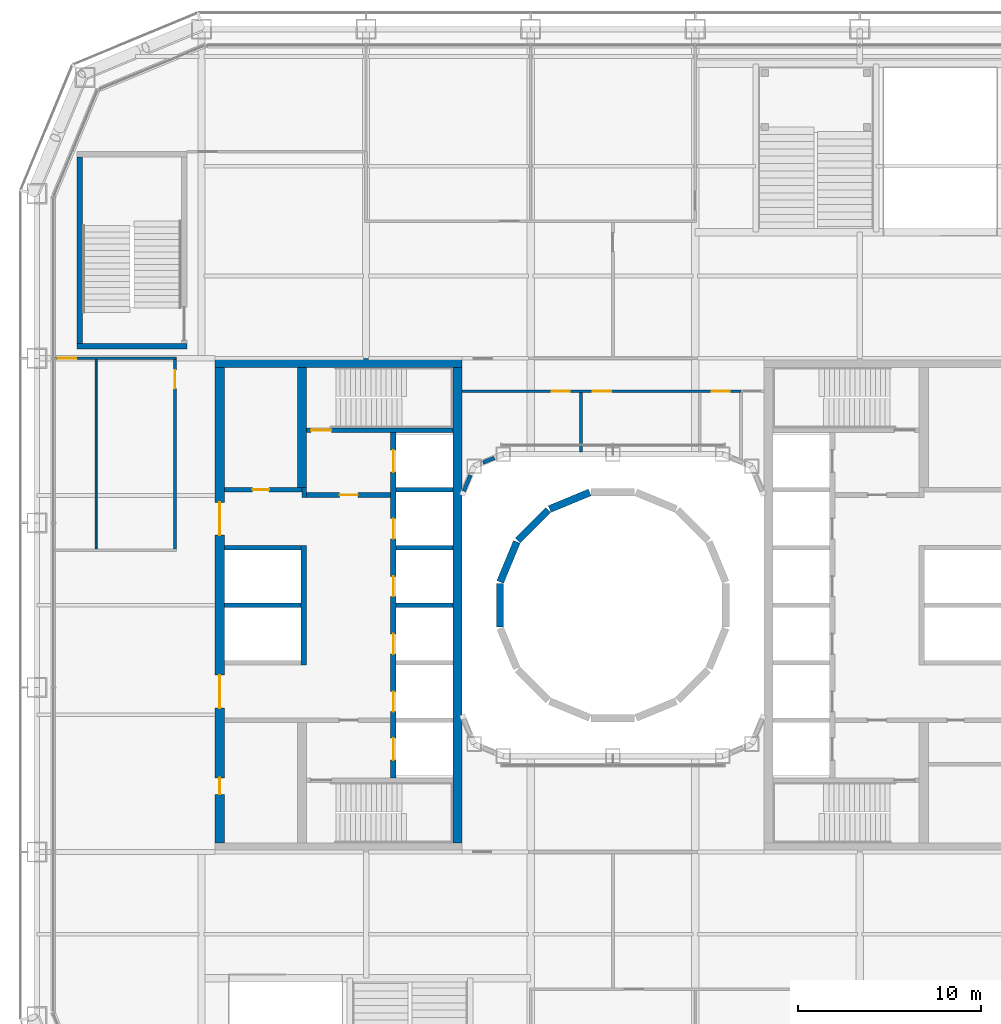
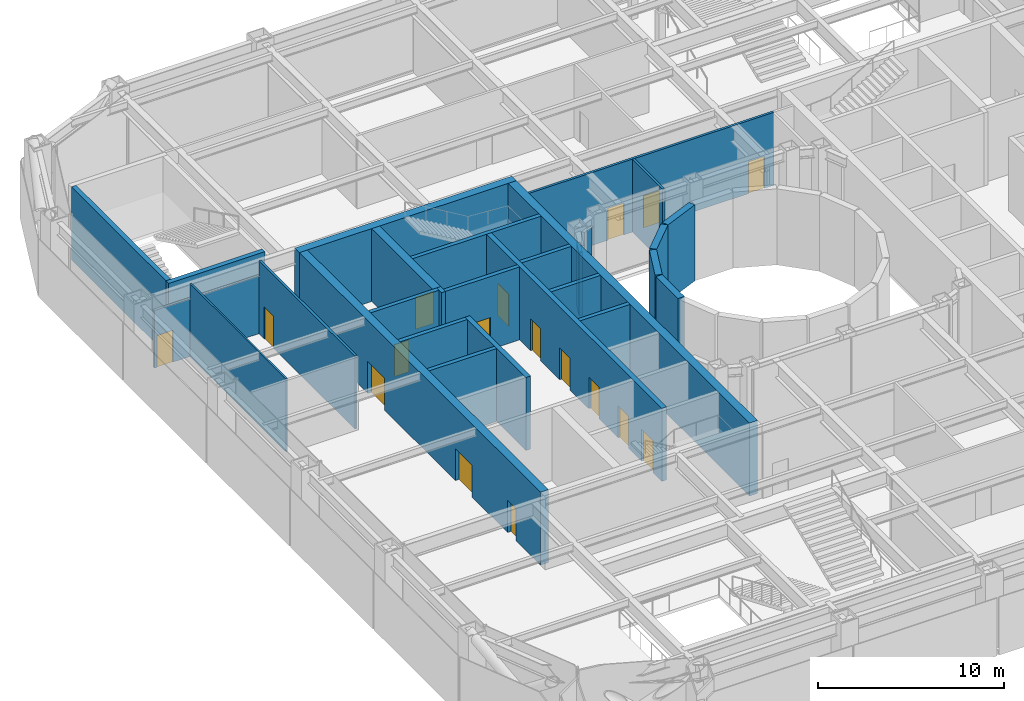
# One storey, part 13 of 25: 28 walls, 17 doors, 17 openings.
"""IFC4 building model written with IfcOpenShell, lengths in metres."""

from ifc_helpers import new_model, si_unit, direction, frame, frame_2d, origin, place, context, subcontext, project, spatial, rectangle, extrude, material, layer, layer_set, type_object, element, fill, save


model = new_model("IFC4")

# Units and contexts
model_context = context("Model", 3, precision=1e-05, world=origin(), true_north=direction((0.0, 1.0)))
body_context = subcontext(model_context, "Body", "Model", "MODEL_VIEW")
ifc_project = project(units=[si_unit("LENGTHUNIT", "METRE"), si_unit("AREAUNIT", "SQUARE_METRE"), si_unit("VOLUMEUNIT", "CUBIC_METRE"), si_unit("PLANEANGLEUNIT", "RADIAN"), si_unit("MASSUNIT", "GRAM", prefix="KILO")], contexts=[model_context])

# Site, building, storey
site_placement = place(None, origin())
site = spatial("IfcSite", under=ifc_project, at=site_placement, CompositionType="ELEMENT")
building_placement = place(site_placement, origin())
building = spatial("IfcBuilding", under=site, at=building_placement, Name="Siwar Civic Tower", CompositionType="ELEMENT")
storey_placement = place(building_placement, frame((0.0, 0.0, 7.199951171875)))
storey = spatial("IfcBuildingStorey", under=building, at=storey_placement, Name="L01", CompositionType="ELEMENT", Elevation=7.199951171875)

# Wall, opening, door
ifc_material_1 = material(Name="Concrete C60/75", Category="concrete")
ifc_layer_1 = layer(ifc_material_1, 0.25)
ifc_layer_set_1 = layer_set([ifc_layer_1], Name="Concrete C60/75")
wall_type_1 = type_object("IfcWallType", Name="CORE-WALL-RC250", PredefinedType="SHEAR", material=ifc_layer_set_1)
wall_1_placement = place(storey_placement, frame((-12.14990234375, 6.02490234375, 0.0), z_axis=(0.0, 0.0, 1.0), x_axis=(-1.0, 0.0, 0.0)))
wall_1 = element("IfcWall", 1, at=wall_1_placement, inside=storey, type_object=wall_type_1, Name="Core wall W", PredefinedType="SHEAR", context=body_context, shape_type="SweptSolid", body=[
    extrude(rectangle(XDim=4.60009765625, YDim=0.25, at=frame_2d((2.300048828125, 0.0))), origin(), (0.0, 0.0, 1.0), 4.800048828125),
])
opening_1_placement = place(wall_1_placement, frame((1.800048828125, 0.0, 0.0)))
opening_1 = element("IfcOpeningElement", 2, at=opening_1_placement, cuts=wall_1, Name="Opening L01-CW01", PredefinedType="OPENING", context=body_context, shape_type="SweptSolid", body=[
    extrude(rectangle(XDim=1.0, YDim=2.10009765625, at=frame_2d((0.5, 1.050048828125))), frame((0.0, 0.135009765625, 0.0), z_axis=(0.0, -1.0, 0.0), x_axis=(1.0, 0.0, 0.0)), (0.0, 0.0, 1.0), 0.27001953125),
])
ifc_material_2 = material(Name="Steel door leaf", Category="steel")
door_type_1 = type_object("IfcDoorType", Name="CORE-DOOR-FD30S", OperationType="SINGLE_SWING_LEFT", PredefinedType="DOOR", material=ifc_material_2)
door_1_placement = place(opening_1_placement, origin())
door_1 = element("IfcDoor", 3, at=door_1_placement, inside=storey, type_object=door_type_1, Name="Firefighting lobby door L01-CW01", OperationType="SINGLE_SWING_LEFT", OverallHeight=2.10009765625, OverallWidth=1.0, PredefinedType="DOOR", context=body_context, shape_type="SweptSolid", body=[
    extrude(rectangle(XDim=1.0, YDim=2.10009765625, at=frame_2d((0.5, 1.050048828125))), frame((0.0, 0.02490234375, 0.0), z_axis=(0.0, -1.0, 0.0), x_axis=(1.0, 0.0, 0.0)), (0.0, 0.0, 1.0), 0.050048828125),
])
fill(opening_1, door_1)

# Wall
wall_2_placement = place(storey_placement, frame((-16.875, 5.89990234375, 0.0), z_axis=(0.0, 0.0, 1.0), x_axis=(0.0, 1.0, 0.0)))
element("IfcWall", 4, at=wall_2_placement, inside=storey, type_object=wall_type_1, Name="Core wall W", PredefinedType="SHEAR", context=body_context, shape_type="SweptSolid", body=[
    extrude(rectangle(XDim=0.525146484375, YDim=0.25, at=frame_2d((0.2626953125, 0.0))), origin(), (0.0, 0.0, 1.0), 4.800048828125),
])

# Wall, opening, door
wall_3_placement = place(storey_placement, frame((-17.0, 6.300048828125, 0.0), z_axis=(0.0, 0.0, 1.0), x_axis=(-1.0, 0.0, 0.0)))
wall_3 = element("IfcWall", 5, at=wall_3_placement, inside=storey, type_object=wall_type_1, Name="Core wall W", PredefinedType="SHEAR", context=body_context, shape_type="SweptSolid", body=[
    extrude(rectangle(XDim=4.25, YDim=0.25, at=frame_2d((2.125, 0.0))), origin(), (0.0, 0.0, 1.0), 4.800048828125),
])
opening_2_placement = place(wall_3_placement, frame((1.800048828125, 0.0, 0.0)))
opening_2 = element("IfcOpeningElement", 6, at=opening_2_placement, cuts=wall_3, Name="Opening L01-CW13", PredefinedType="OPENING", context=body_context, shape_type="SweptSolid", body=[
    extrude(rectangle(XDim=0.89990234375, YDim=2.10009765625, at=frame_2d((0.449951171875, 1.050048828125))), frame((0.0, 0.135009765625, 0.0), z_axis=(0.0, -1.0, 0.0), x_axis=(1.0, 0.0, 0.0)), (0.0, 0.0, 1.0), 0.27001953125),
])
ifc_material_3 = material(Name="Steel door leaf", Category="steel")
door_type_2 = type_object("IfcDoorType", Name="CORE-DOOR-ROOM", OperationType="SINGLE_SWING_LEFT", PredefinedType="DOOR", material=ifc_material_3)
door_2_placement = place(opening_2_placement, origin())
door_2 = element("IfcDoor", 7, at=door_2_placement, inside=storey, type_object=door_type_2, Name="Core room door L01-CW13", OperationType="SINGLE_SWING_LEFT", OverallHeight=2.10009765625, OverallWidth=0.89990234375, PredefinedType="DOOR", context=body_context, shape_type="SweptSolid", body=[
    extrude(rectangle(XDim=0.89990234375, YDim=2.10009765625, at=frame_2d((0.449951171875, 1.050048828125))), frame((0.0, 0.02490234375, 0.0), z_axis=(0.0, -1.0, 0.0), x_axis=(1.0, 0.0, 0.0)), (0.0, 0.0, 1.0), 0.050048828125),
])
fill(opening_2, door_2)

# Walls
for number, where, z_axis, x_axis, name in (
    (8, (-17.050048828125, 0.0, 0.0), (0.0, 0.0, 1.0), (-1.0, 0.0, 0.0), "Core wall W"),
    (9, (-17.050048828125, 3.14990234375, 0.0), (0.0, 0.0, 1.0), (-1.0, 0.0, 0.0), "Core wall W"),
):
    element("IfcWall", number, at=place(storey_placement, frame(where, z_axis=z_axis, x_axis=x_axis)), inside=storey, type_object=wall_type_1, Name=name, PredefinedType="SHEAR", context=body_context, shape_type="SweptSolid", body=[
        extrude(rectangle(XDim=4.199951171875, YDim=0.25, at=frame_2d((2.10009765625, 0.0))), origin(), (0.0, 0.0, 1.0), 4.800048828125),
    ])
for number, where, z_axis, x_axis, name in (
    (10, (-8.75, 0.0, 0.0), (0.0, 0.0, 1.0), (-1.0, 0.0, 0.0), "Core wall W"),
    (11, (-8.75, 3.14990234375, 0.0), (0.0, 0.0, 1.0), (-1.0, 0.0, 0.0), "Core wall W"),
    (12, (-8.75, 6.300048828125, 0.0), (0.0, 0.0, 1.0), (-1.0, 0.0, 0.0), "Core wall W"),
):
    element("IfcWall", number, at=place(storey_placement, frame(where, z_axis=z_axis, x_axis=x_axis)), inside=storey, type_object=wall_type_1, Name=name, PredefinedType="SHEAR", context=body_context, shape_type="SweptSolid", body=[
        extrude(rectangle(XDim=3.10009765625, YDim=0.25, at=frame_2d((1.550048828125, 0.0))), origin(), (0.0, 0.0, 1.0), 4.800048828125),
    ])

# Wall, opening, door
wall_4_placement = place(storey_placement, frame((-8.75, 9.574951171875, 0.0), z_axis=(0.0, 0.0, 1.0), x_axis=(-1.0, 0.0, 0.0)))
wall_4 = element("IfcWall", 13, at=wall_4_placement, inside=storey, type_object=wall_type_1, Name="Core wall W", PredefinedType="SHEAR", context=body_context, shape_type="SweptSolid", body=[
    extrude(rectangle(XDim=8.0, YDim=0.25, at=frame_2d((4.0, 0.0))), origin(), (0.0, 0.0, 1.0), 4.800048828125),
])
opening_3_placement = place(wall_4_placement, frame((6.64990234375, 0.0, 0.0)))
opening_3 = element("IfcOpeningElement", 14, at=opening_3_placement, cuts=wall_4, Name="Opening L01-CW03", PredefinedType="OPENING", context=body_context, shape_type="SweptSolid", body=[
    extrude(rectangle(XDim=1.10009765625, YDim=2.10009765625, at=frame_2d((0.550048828125, 1.050048828125))), frame((0.0, 0.135009765625, 0.0), z_axis=(0.0, -1.0, 0.0), x_axis=(1.0, 0.0, 0.0)), (0.0, 0.0, 1.0), 0.27001953125),
])
ifc_material_4 = material(Name="Steel door leaf", Category="steel")
door_type_3 = type_object("IfcDoorType", Name="CORE-DOOR-FD60S", OperationType="SINGLE_SWING_LEFT", PredefinedType="DOOR", material=ifc_material_4)
door_3_placement = place(opening_3_placement, origin())
door_3 = element("IfcDoor", 15, at=door_3_placement, inside=storey, type_object=door_type_3, Name="Stair door L01-CW03", OperationType="SINGLE_SWING_RIGHT", OverallHeight=2.10009765625, OverallWidth=1.10009765625, PredefinedType="DOOR", context=body_context, shape_type="SweptSolid", body=[
    extrude(rectangle(XDim=1.10009765625, YDim=2.10009765625, at=frame_2d((0.550048828125, 1.050048828125))), frame((0.0, 0.02490234375, 0.0), z_axis=(0.0, -1.0, 0.0), x_axis=(1.0, 0.0, 0.0)), (0.0, 0.0, 1.0), 0.050048828125),
])
fill(opening_3, door_3)

# Wall, openings, doors
ifc_material_5 = material(Name="Concrete C60/75", Category="concrete")
ifc_layer_2 = layer(ifc_material_5, 0.300048828125)
ifc_layer_set_2 = layer_set([ifc_layer_2], Name="Concrete C60/75")
wall_type_2 = type_object("IfcWallType", Name="CORE-WALL-RC300", PredefinedType="SHEAR", material=ifc_layer_set_2)
wall_5_placement = place(storey_placement, frame((-12.0, -9.449951171875, 0.0), z_axis=(0.0, 0.0, 1.0), x_axis=(0.0, 1.0, 0.0)))
wall_5 = element("IfcWall", 16, at=wall_5_placement, inside=storey, type_object=wall_type_2, Name="Core wall W", PredefinedType="SHEAR", context=body_context, shape_type="SweptSolid", body=[
    extrude(rectangle(XDim=18.89990234375, YDim=0.300048828125, at=frame_2d((9.449951171875, 0.0))), origin(), (0.0, 0.0, 1.0), 4.800048828125),
])
opening_4_placement = place(wall_5_placement, frame((3.625, 0.0, 0.0)))
opening_4 = element("IfcOpeningElement", 17, at=opening_4_placement, cuts=wall_5, Name="Opening L01-CW07", PredefinedType="OPENING", context=body_context, shape_type="SweptSolid", body=[
    extrude(rectangle(XDim=1.10009765625, YDim=2.10009765625, at=frame_2d((0.550048828125, 1.050048828125))), frame((0.0, 0.16015625, 0.0), z_axis=(0.0, -1.0, 0.0), x_axis=(1.0, 0.0, 0.0)), (0.0, 0.0, 1.0), 0.320068359375),
])
opening_5_placement = place(wall_5_placement, frame((6.77490234375, 0.0, 0.0)))
opening_5 = element("IfcOpeningElement", 18, at=opening_5_placement, cuts=wall_5, Name="Opening L01-CW08", PredefinedType="OPENING", context=body_context, shape_type="SweptSolid", body=[
    extrude(rectangle(XDim=1.10009765625, YDim=2.10009765625, at=frame_2d((0.550048828125, 1.050048828125))), frame((0.0, 0.16015625, 0.0), z_axis=(0.0, -1.0, 0.0), x_axis=(1.0, 0.0, 0.0)), (0.0, 0.0, 1.0), 0.320068359375),
])
opening_6_placement = place(wall_5_placement, frame((9.925048828125, 0.0, 0.0)))
opening_6 = element("IfcOpeningElement", 19, at=opening_6_placement, cuts=wall_5, Name="Opening L01-CW09", PredefinedType="OPENING", context=body_context, shape_type="SweptSolid", body=[
    extrude(rectangle(XDim=1.10009765625, YDim=2.10009765625, at=frame_2d((0.550048828125, 1.050048828125))), frame((0.0, 0.16015625, 0.0), z_axis=(0.0, -1.0, 0.0), x_axis=(1.0, 0.0, 0.0)), (0.0, 0.0, 1.0), 0.320068359375),
])
opening_7_placement = place(wall_5_placement, frame((13.074951171875, 0.0, 0.0)))
opening_7 = element("IfcOpeningElement", 20, at=opening_7_placement, cuts=wall_5, Name="Opening L01-CW10", PredefinedType="OPENING", context=body_context, shape_type="SweptSolid", body=[
    extrude(rectangle(XDim=1.10009765625, YDim=2.10009765625, at=frame_2d((0.550048828125, 1.050048828125))), frame((0.0, 0.16015625, 0.0), z_axis=(0.0, -1.0, 0.0), x_axis=(1.0, 0.0, 0.0)), (0.0, 0.0, 1.0), 0.320068359375),
])
opening_8_placement = place(wall_5_placement, frame((16.72509765625, 0.0, 0.0)))
opening_8 = element("IfcOpeningElement", 21, at=opening_8_placement, cuts=wall_5, Name="Opening L01-CW11", PredefinedType="OPENING", context=body_context, shape_type="SweptSolid", body=[
    extrude(rectangle(XDim=1.199951171875, YDim=2.10009765625, at=frame_2d((0.60009765625, 1.050048828125))), frame((0.0, 0.16015625, 0.0), z_axis=(0.0, -1.0, 0.0), x_axis=(1.0, 0.0, 0.0)), (0.0, 0.0, 1.0), 0.320068359375),
])
opening_9_placement = place(wall_5_placement, frame((0.97509765625, 0.0, 0.0)))
opening_9 = element("IfcOpeningElement", 22, at=opening_9_placement, cuts=wall_5, Name="Opening L01-CW12", PredefinedType="OPENING", context=body_context, shape_type="SweptSolid", body=[
    extrude(rectangle(XDim=1.199951171875, YDim=2.10009765625, at=frame_2d((0.60009765625, 1.050048828125))), frame((0.0, 0.16015625, 0.0), z_axis=(0.0, -1.0, 0.0), x_axis=(1.0, 0.0, 0.0)), (0.0, 0.0, 1.0), 0.320068359375),
])
ifc_material_6 = material(Name="Steel door leaf", Category="steel")
door_type_4 = type_object("IfcDoorType", Name="CORE-DOOR-LD", OperationType="DOUBLE_DOOR_SLIDING", PredefinedType="DOOR", material=ifc_material_6)
door_4_placement = place(opening_4_placement, origin())
door_4 = element("IfcDoor", 23, at=door_4_placement, inside=storey, type_object=door_type_4, Name="Landing door LR1 L01-CW07", OperationType="DOUBLE_DOOR_SLIDING", OverallHeight=2.10009765625, OverallWidth=1.10009765625, PredefinedType="DOOR", context=body_context, shape_type="SweptSolid", body=[
    extrude(rectangle(XDim=1.10009765625, YDim=2.10009765625, at=frame_2d((0.550048828125, 1.050048828125))), frame((0.0, 0.02490234375, 0.0), z_axis=(0.0, -1.0, 0.0), x_axis=(1.0, 0.0, 0.0)), (0.0, 0.0, 1.0), 0.050048828125),
])
fill(opening_4, door_4)
door_5_placement = place(opening_5_placement, origin())
door_5 = element("IfcDoor", 24, at=door_5_placement, inside=storey, type_object=door_type_4, Name="Landing door LR2 L01-CW08", OperationType="DOUBLE_DOOR_SLIDING", OverallHeight=2.10009765625, OverallWidth=1.10009765625, PredefinedType="DOOR", context=body_context, shape_type="SweptSolid", body=[
    extrude(rectangle(XDim=1.10009765625, YDim=2.10009765625, at=frame_2d((0.550048828125, 1.050048828125))), frame((0.0, 0.02490234375, 0.0), z_axis=(0.0, -1.0, 0.0), x_axis=(1.0, 0.0, 0.0)), (0.0, 0.0, 1.0), 0.050048828125),
])
fill(opening_5, door_5)
door_6_placement = place(opening_6_placement, origin())
door_6 = element("IfcDoor", 25, at=door_6_placement, inside=storey, type_object=door_type_4, Name="Landing door LR3 L01-CW09", OperationType="DOUBLE_DOOR_SLIDING", OverallHeight=2.10009765625, OverallWidth=1.10009765625, PredefinedType="DOOR", context=body_context, shape_type="SweptSolid", body=[
    extrude(rectangle(XDim=1.10009765625, YDim=2.10009765625, at=frame_2d((0.550048828125, 1.050048828125))), frame((0.0, 0.02490234375, 0.0), z_axis=(0.0, -1.0, 0.0), x_axis=(1.0, 0.0, 0.0)), (0.0, 0.0, 1.0), 0.050048828125),
])
fill(opening_6, door_6)
door_7_placement = place(opening_7_placement, origin())
door_7 = element("IfcDoor", 26, at=door_7_placement, inside=storey, type_object=door_type_4, Name="Landing door LR4 L01-CW10", OperationType="DOUBLE_DOOR_SLIDING", OverallHeight=2.10009765625, OverallWidth=1.10009765625, PredefinedType="DOOR", context=body_context, shape_type="SweptSolid", body=[
    extrude(rectangle(XDim=1.10009765625, YDim=2.10009765625, at=frame_2d((0.550048828125, 1.050048828125))), frame((0.0, 0.02490234375, 0.0), z_axis=(0.0, -1.0, 0.0), x_axis=(1.0, 0.0, 0.0)), (0.0, 0.0, 1.0), 0.050048828125),
])
fill(opening_7, door_7)
ifc_material_7 = material(Name="Steel door leaf", Category="steel")
door_type_5 = type_object("IfcDoorType", Name="CORE-DOOR-LDW", OperationType="DOUBLE_DOOR_SLIDING", PredefinedType="DOOR", material=ifc_material_7)
door_8_placement = place(opening_8_placement, origin())
door_8 = element("IfcDoor", 27, at=door_8_placement, inside=storey, type_object=door_type_5, Name="Landing door FF1 L01-CW11", OperationType="DOUBLE_DOOR_SLIDING", OverallHeight=2.10009765625, OverallWidth=1.199951171875, PredefinedType="DOOR", context=body_context, shape_type="SweptSolid", body=[
    extrude(rectangle(XDim=1.199951171875, YDim=2.10009765625, at=frame_2d((0.60009765625, 1.050048828125))), frame((0.0, 0.02490234375, 0.0), z_axis=(0.0, -1.0, 0.0), x_axis=(1.0, 0.0, 0.0)), (0.0, 0.0, 1.0), 0.050048828125),
])
fill(opening_8, door_8)
door_9_placement = place(opening_9_placement, origin())
door_9 = element("IfcDoor", 28, at=door_9_placement, inside=storey, type_object=door_type_5, Name="Landing door SV1 L01-CW12", OperationType="DOUBLE_DOOR_SLIDING", OverallHeight=2.10009765625, OverallWidth=1.199951171875, PredefinedType="DOOR", context=body_context, shape_type="SweptSolid", body=[
    extrude(rectangle(XDim=1.199951171875, YDim=2.10009765625, at=frame_2d((0.60009765625, 1.050048828125))), frame((0.0, 0.02490234375, 0.0), z_axis=(0.0, -1.0, 0.0), x_axis=(1.0, 0.0, 0.0)), (0.0, 0.0, 1.0), 0.050048828125),
])
fill(opening_9, door_9)

# Wall
wall_6_placement = place(storey_placement, frame((-16.89990234375, -3.27490234375, 0.0), z_axis=(0.0, 0.0, 1.0), x_axis=(0.0, 1.0, 0.0)))
element("IfcWall", 29, at=wall_6_placement, inside=storey, type_object=wall_type_2, Name="Core wall W", PredefinedType="SHEAR", context=body_context, shape_type="SweptSolid", body=[
    extrude(rectangle(XDim=6.5498046875, YDim=0.300048828125, at=frame_2d((3.27490234375, 0.0))), origin(), (0.0, 0.0, 1.0), 4.800048828125),
])

# Wall, openings, doors
ifc_material_8 = material(Name="Concrete C60/75", Category="concrete")
ifc_layer_3 = layer(ifc_material_8, 0.5)
ifc_layer_set_3 = layer_set([ifc_layer_3], Name="Concrete C60/75")
wall_type_3 = type_object("IfcWallType", Name="CORE-WALL-RC500", PredefinedType="SHEAR", material=ifc_layer_set_3)
wall_7_placement = place(storey_placement, frame((-21.5, -13.0, 0.0), z_axis=(0.0, 0.0, 1.0), x_axis=(0.0, 1.0, 0.0)))
wall_7 = element("IfcWall", 30, at=wall_7_placement, inside=storey, type_object=wall_type_3, Name="Core wall W", PredefinedType="SHEAR", context=body_context, shape_type="SweptSolid", body=[
    extrude(rectangle(XDim=26.0, YDim=0.5, at=frame_2d((13.0, 0.0))), origin(), (0.0, 0.0, 1.0), 4.800048828125),
])
opening_10_placement = place(wall_7_placement, frame((16.824951171875, 0.0, 0.0)))
opening_10 = element("IfcOpeningElement", 31, at=opening_10_placement, cuts=wall_7, Name="Opening L01-CW05", PredefinedType="OPENING", context=body_context, shape_type="SweptSolid", body=[
    extrude(rectangle(XDim=1.800048828125, YDim=2.10009765625, at=frame_2d((0.89990234375, 1.050048828125))), frame((0.0, 0.260009765625, 0.0), z_axis=(0.0, -1.0, 0.0), x_axis=(1.0, 0.0, 0.0)), (0.0, 0.0, 1.0), 0.52001953125),
])
opening_11_placement = place(wall_7_placement, frame((7.375, 0.0, 0.0)))
opening_11 = element("IfcOpeningElement", 32, at=opening_11_placement, cuts=wall_7, Name="Opening L01-CW06", PredefinedType="OPENING", context=body_context, shape_type="SweptSolid", body=[
    extrude(rectangle(XDim=1.800048828125, YDim=2.10009765625, at=frame_2d((0.89990234375, 1.050048828125))), frame((0.0, 0.260009765625, 0.0), z_axis=(0.0, -1.0, 0.0), x_axis=(1.0, 0.0, 0.0)), (0.0, 0.0, 1.0), 0.52001953125),
])
opening_12_placement = place(wall_7_placement, frame((2.64990234375, 0.0, 0.0)))
opening_12 = element("IfcOpeningElement", 33, at=opening_12_placement, cuts=wall_7, Name="Opening L01-CW14", PredefinedType="OPENING", context=body_context, shape_type="SweptSolid", body=[
    extrude(rectangle(XDim=0.89990234375, YDim=2.10009765625, at=frame_2d((0.449951171875, 1.050048828125))), frame((0.0, 0.260009765625, 0.0), z_axis=(0.0, -1.0, 0.0), x_axis=(1.0, 0.0, 0.0)), (0.0, 0.0, 1.0), 0.52001953125),
])
ifc_material_9 = material(Name="Steel door leaf", Category="steel")
door_type_6 = type_object("IfcDoorType", Name="CORE-DOOR-PORT", OperationType="DOUBLE_DOOR_DOUBLE_SWING", PredefinedType="DOOR", material=ifc_material_9)
door_10_placement = place(opening_10_placement, origin())
door_10 = element("IfcDoor", 34, at=door_10_placement, inside=storey, type_object=door_type_6, Name="Core entrance door L01-CW05", OperationType="DOUBLE_DOOR_DOUBLE_SWING", OverallHeight=2.10009765625, OverallWidth=1.800048828125, PredefinedType="DOOR", context=body_context, shape_type="SweptSolid", body=[
    extrude(rectangle(XDim=1.800048828125, YDim=2.10009765625, at=frame_2d((0.89990234375, 1.050048828125))), frame((0.0, 0.02490234375, 0.0), z_axis=(0.0, -1.0, 0.0), x_axis=(1.0, 0.0, 0.0)), (0.0, 0.0, 1.0), 0.050048828125),
])
fill(opening_10, door_10)
door_11_placement = place(opening_11_placement, origin())
door_11 = element("IfcDoor", 35, at=door_11_placement, inside=storey, type_object=door_type_6, Name="Core entrance door L01-CW06", OperationType="DOUBLE_DOOR_DOUBLE_SWING", OverallHeight=2.10009765625, OverallWidth=1.800048828125, PredefinedType="DOOR", context=body_context, shape_type="SweptSolid", body=[
    extrude(rectangle(XDim=1.800048828125, YDim=2.10009765625, at=frame_2d((0.89990234375, 1.050048828125))), frame((0.0, 0.02490234375, 0.0), z_axis=(0.0, -1.0, 0.0), x_axis=(1.0, 0.0, 0.0)), (0.0, 0.0, 1.0), 0.050048828125),
])
fill(opening_11, door_11)
door_12_placement = place(opening_12_placement, origin())
door_12 = element("IfcDoor", 36, at=door_12_placement, inside=storey, type_object=door_type_2, Name="Core room door L01-CW14", OperationType="SINGLE_SWING_LEFT", OverallHeight=2.10009765625, OverallWidth=0.89990234375, PredefinedType="DOOR", context=body_context, shape_type="SweptSolid", body=[
    extrude(rectangle(XDim=0.89990234375, YDim=2.10009765625, at=frame_2d((0.449951171875, 1.050048828125))), frame((0.0, 0.02490234375, 0.0), z_axis=(0.0, -1.0, 0.0), x_axis=(1.0, 0.0, 0.0)), (0.0, 0.0, 1.0), 0.050048828125),
])
fill(opening_12, door_12)

# Walls
wall_8_placement = place(storey_placement, frame((-17.0, 6.425048828125, 0.0), z_axis=(0.0, 0.0, 1.0), x_axis=(0.0, 1.0, 0.0)))
element("IfcWall", 37, at=wall_8_placement, inside=storey, type_object=wall_type_3, Name="Core wall W", PredefinedType="SHEAR", context=body_context, shape_type="SweptSolid", body=[
    extrude(rectangle(XDim=6.574951171875, YDim=0.5, at=frame_2d((3.28759765625, 0.0))), origin(), (0.0, 0.0, 1.0), 4.800048828125),
])
wall_9_placement = place(storey_placement, frame((-8.25, 13.25, 0.0), z_axis=(0.0, 0.0, 1.0), x_axis=(-1.0, 0.0, 0.0)))
element("IfcWall", 38, at=wall_9_placement, inside=storey, type_object=wall_type_3, Name="Core wall W", PredefinedType="SHEAR", context=body_context, shape_type="SweptSolid", body=[
    extrude(rectangle(XDim=13.5, YDim=0.5, at=frame_2d((6.75, 0.0))), origin(), (0.0, 0.0, 1.0), 4.800048828125),
])
ifc_material_10 = material(Name="Concrete C60/75", Category="concrete")
ifc_layer_4 = layer(ifc_material_10, 0.5)
ifc_layer_set_4 = layer_set([ifc_layer_4], Name="Concrete C60/75")
wall_type_4 = type_object("IfcWallType", Name="CORE-WALL-RC500-EXT", PredefinedType="SHEAR", material=ifc_layer_set_4)
wall_10_placement = place(storey_placement, frame((-8.5, -13.0, 0.0), z_axis=(0.0, 0.0, 1.0), x_axis=(0.0, 1.0, 0.0)))
element("IfcWall", 39, at=wall_10_placement, inside=storey, type_object=wall_type_4, Name="Core wall W", PredefinedType="SHEAR", context=body_context, shape_type="SweptSolid", body=[
    extrude(rectangle(XDim=26.0, YDim=0.5, at=frame_2d((13.0, 0.0))), origin(), (0.0, 0.0, 1.0), 4.800048828125),
])

# Wall, openings, doors
ifc_material_11 = material(Name="Gypsum board on steel studs", Category="steel")
ifc_layer_5 = layer(ifc_material_11, 0.14990234375)
ifc_layer_set_5 = layer_set([ifc_layer_5], Name="Gypsum board on steel studs")
wall_type_5 = type_object("IfcWallType", Name="CORRIDOR PARTITION 150 EI 30", PredefinedType="PARTITIONING", material=ifc_layer_set_5)
wall_11_placement = place(storey_placement, frame((-8.25, 11.699951171875, 0.0), z_axis=(0.0, 0.0, 1.0), x_axis=(1.0, 0.0, 0.0)))
wall_11 = element("IfcWall", 40, at=wall_11_placement, inside=storey, type_object=wall_type_5, Name="L01/wall/P10", PredefinedType="PARTITIONING", context=body_context, shape_type="SweptSolid", body=[
    extrude(rectangle(XDim=15.25, YDim=0.14990234375, at=frame_2d((7.625, 0.0))), origin(), (0.0, 0.0, 1.0), 4.800048828125),
])
opening_13_placement = place(wall_11_placement, frame((4.89990234375, 0.0, 0.0)))
opening_13 = element("IfcOpeningElement", 41, at=opening_13_placement, cuts=wall_11, Name="Opening D3", PredefinedType="OPENING", context=body_context, shape_type="SweptSolid", body=[
    extrude(rectangle(XDim=1.0, YDim=2.10009765625, at=frame_2d((0.5, 1.050048828125))), frame((0.0, 0.0849609375, 0.0), z_axis=(0.0, -1.0, 0.0), x_axis=(1.0, 0.0, 0.0)), (0.0, 0.0, 1.0), 0.169921875),
])
opening_14_placement = place(wall_11_placement, frame((7.14990234375, 0.0, 0.0)))
opening_14 = element("IfcOpeningElement", 42, at=opening_14_placement, cuts=wall_11, Name="Opening D3", PredefinedType="OPENING", context=body_context, shape_type="SweptSolid", body=[
    extrude(rectangle(XDim=1.0, YDim=2.10009765625, at=frame_2d((0.5, 1.050048828125))), frame((0.0, 0.0849609375, 0.0), z_axis=(0.0, -1.0, 0.0), x_axis=(1.0, 0.0, 0.0)), (0.0, 0.0, 1.0), 0.169921875),
])
opening_15_placement = place(wall_11_placement, frame((13.64990234375, 0.0, 0.0)))
opening_15 = element("IfcOpeningElement", 43, at=opening_15_placement, cuts=wall_11, Name="Opening D3", PredefinedType="OPENING", context=body_context, shape_type="SweptSolid", body=[
    extrude(rectangle(XDim=1.0, YDim=2.10009765625, at=frame_2d((0.5, 1.050048828125))), frame((0.0, 0.0849609375, 0.0), z_axis=(0.0, -1.0, 0.0), x_axis=(1.0, 0.0, 0.0)), (0.0, 0.0, 1.0), 0.169921875),
])
ifc_material_12 = material(Name="Timber, painted", Category="wood")
door_type_7 = type_object("IfcDoorType", Name="DOOR 1000 X 2100 WC", OperationType="SINGLE_SWING_LEFT", PredefinedType="DOOR", material=ifc_material_12)
door_13_placement = place(opening_13_placement, origin())
door_13 = element("IfcDoor", 44, at=door_13_placement, inside=storey, type_object=door_type_7, Name="L01-D10", OperationType="SINGLE_SWING_RIGHT", OverallHeight=2.10009765625, OverallWidth=1.0, PredefinedType="DOOR", context=body_context, shape_type="SweptSolid", body=[
    extrude(rectangle(XDim=1.0, YDim=2.10009765625, at=frame_2d((0.5, 1.050048828125))), frame((0.0, 0.02490234375, 0.0), z_axis=(0.0, -1.0, 0.0), x_axis=(1.0, 0.0, 0.0)), (0.0, 0.0, 1.0), 0.050048828125),
])
fill(opening_13, door_13)
door_14_placement = place(opening_14_placement, origin())
door_14 = element("IfcDoor", 45, at=door_14_placement, inside=storey, type_object=door_type_7, Name="L01-D11", OperationType="SINGLE_SWING_LEFT", OverallHeight=2.10009765625, OverallWidth=1.0, PredefinedType="DOOR", context=body_context, shape_type="SweptSolid", body=[
    extrude(rectangle(XDim=1.0, YDim=2.10009765625, at=frame_2d((0.5, 1.050048828125))), frame((0.0, 0.02490234375, 0.0), z_axis=(0.0, -1.0, 0.0), x_axis=(1.0, 0.0, 0.0)), (0.0, 0.0, 1.0), 0.050048828125),
])
fill(opening_14, door_14)
door_15_placement = place(opening_15_placement, origin())
door_15 = element("IfcDoor", 46, at=door_15_placement, inside=storey, type_object=door_type_7, Name="L01-D12", OperationType="SINGLE_SWING_RIGHT", OverallHeight=2.10009765625, OverallWidth=1.0, PredefinedType="DOOR", context=body_context, shape_type="SweptSolid", body=[
    extrude(rectangle(XDim=1.0, YDim=2.10009765625, at=frame_2d((0.5, 1.050048828125))), frame((0.0, 0.02490234375, 0.0), z_axis=(0.0, -1.0, 0.0), x_axis=(1.0, 0.0, 0.0)), (0.0, 0.0, 1.0), 0.050048828125),
])
fill(opening_15, door_15)

# Wall, opening, door
wall_12_placement = place(storey_placement, frame((-30.510009765625, 13.5, 0.0), z_axis=(0.0, 0.0, 1.0), x_axis=(1.0, 0.0, 0.0)))
wall_12 = element("IfcWall", 47, at=wall_12_placement, inside=storey, type_object=wall_type_5, Name="L01/wall/P12", PredefinedType="PARTITIONING", context=body_context, shape_type="SweptSolid", body=[
    extrude(rectangle(XDim=6.635009765625, YDim=0.14990234375, at=frame_2d((3.3173828125, 0.0))), origin(), (0.0, 0.0, 1.0), 3.800048828125),
])
opening_16_placement = place(wall_12_placement, frame((0.14990234375, 0.0, 0.0)))
opening_16 = element("IfcOpeningElement", 48, at=opening_16_placement, cuts=wall_12, Name="Opening D3", PredefinedType="OPENING", context=body_context, shape_type="SweptSolid", body=[
    extrude(rectangle(XDim=1.0, YDim=2.10009765625, at=frame_2d((0.5, 1.050048828125))), frame((0.0, 0.0849609375, 0.0), z_axis=(0.0, -1.0, 0.0), x_axis=(1.0, 0.0, 0.0)), (0.0, 0.0, 1.0), 0.169921875),
])
door_16_placement = place(opening_16_placement, origin())
door_16 = element("IfcDoor", 49, at=door_16_placement, inside=storey, type_object=door_type_7, Name="L01-D14", OperationType="SINGLE_SWING_LEFT", OverallHeight=2.10009765625, OverallWidth=1.0, PredefinedType="DOOR", context=body_context, shape_type="SweptSolid", body=[
    extrude(rectangle(XDim=1.0, YDim=2.10009765625, at=frame_2d((0.5, 1.050048828125))), frame((0.0, 0.02490234375, 0.0), z_axis=(0.0, -1.0, 0.0), x_axis=(1.0, 0.0, 0.0)), (0.0, 0.0, 1.0), 0.050048828125),
])
fill(opening_16, door_16)

wall_13_placement = place(storey_placement, frame((-23.949951171875, 3.074951171875, 0.0), z_axis=(0.0, 0.0, 1.0), x_axis=(0.0, 1.0, 0.0)))
wall_13 = element("IfcWall", 50, at=wall_13_placement, inside=storey, type_object=wall_type_5, Name="L01/wall/P18", PredefinedType="PARTITIONING", context=body_context, shape_type="SweptSolid", body=[
    extrude(rectangle(XDim=10.35009765625, YDim=0.14990234375, at=frame_2d((5.175048828125, 0.0))), origin(), (0.0, 0.0, 1.0), 4.800048828125),
])
opening_17_placement = place(wall_13_placement, frame((8.77490234375, 0.0, 0.0)))
opening_17 = element("IfcOpeningElement", 51, at=opening_17_placement, cuts=wall_13, Name="Opening D1", PredefinedType="OPENING", context=body_context, shape_type="SweptSolid", body=[
    extrude(rectangle(XDim=1.0, YDim=2.10009765625, at=frame_2d((0.5, 1.050048828125))), frame((0.0, 0.0849609375, 0.0), z_axis=(0.0, -1.0, 0.0), x_axis=(1.0, 0.0, 0.0)), (0.0, 0.0, 1.0), 0.169921875),
])
ifc_material_13 = material(Name="Timber, painted", Category="wood")
door_type_8 = type_object("IfcDoorType", Name="DOOR 1000 X 2100 FD30", OperationType="SINGLE_SWING_LEFT", PredefinedType="DOOR", material=ifc_material_13)
door_17_placement = place(opening_17_placement, origin())
door_17 = element("IfcDoor", 52, at=door_17_placement, inside=storey, type_object=door_type_8, Name="L01-D15", OperationType="SINGLE_SWING_LEFT", OverallHeight=2.10009765625, OverallWidth=1.0, PredefinedType="DOOR", context=body_context, shape_type="SweptSolid", body=[
    extrude(rectangle(XDim=1.0, YDim=2.10009765625, at=frame_2d((0.5, 1.050048828125))), frame((0.0, 0.02490234375, 0.0), z_axis=(0.0, -1.0, 0.0), x_axis=(1.0, 0.0, 0.0)), (0.0, 0.0, 1.0), 0.050048828125),
])
fill(opening_17, door_17)

# Walls
wall_14_placement = place(storey_placement, frame((-1.75, 8.3701171875, 0.0), z_axis=(0.0, 0.0, 1.0), x_axis=(0.0, 1.0, 0.0)))
element("IfcWall", 53, at=wall_14_placement, inside=storey, type_object=wall_type_5, Name="L01/wall/P23", PredefinedType="PARTITIONING", context=body_context, shape_type="SweptSolid", body=[
    extrude(rectangle(XDim=3.2548828125, YDim=0.14990234375, at=frame_2d((1.62744140625, 0.0))), origin(), (0.0, 0.0, 1.0), 4.800048828125),
])
ifc_material_14 = material(Name="Aluminium clad insulated panel", Category="aluminium")
ifc_layer_6 = layer(ifc_material_14, 0.199951171875)
ifc_layer_set_6 = layer_set([ifc_layer_6], Name="Aluminium clad insulated panel")
wall_type_6 = type_object("IfcWallType", Name="ENV-WALL-WELL", PredefinedType="STANDARD", material=ifc_layer_set_6)
wall_15_placement = place(storey_placement, frame((-6.48291015625, 8.050048828125, 0.0), z_axis=(0.0, 0.0, 1.0), x_axis=(-0.923854141361, -0.382744726273, 0.0)))
element("IfcWall", 54, at=wall_15_placement, inside=storey, type_object=wall_type_6, Name="Light well corner wall NW1", PredefinedType="STANDARD", context=body_context, shape_type="SweptSolid", body=[
    extrude(rectangle(XDim=0.6767578125, YDim=0.199951171875, at=frame_2d((0.33837890625, 0.0))), origin(), (0.0, 0.0, 1.0), 4.179931640625),
])
wall_16_placement = place(storey_placement, frame((-7.791015625, 7.108154296875, 0.0), z_axis=(0.0, 0.0, 1.0), x_axis=(-0.382624318388, -0.923904016107, 0.0)))
element("IfcWall", 55, at=wall_16_placement, inside=storey, type_object=wall_type_6, Name="Light well corner wall NW2", PredefinedType="STANDARD", context=body_context, shape_type="SweptSolid", body=[
    extrude(rectangle(XDim=0.949462890625, YDim=0.199951171875, at=frame_2d((0.474609375, 0.0))), origin(), (0.0, 0.0, 1.0), 4.179931640625),
])
ifc_material_15 = material(Name="Concrete C60/75", Category="concrete")
ifc_layer_7 = layer(ifc_material_15, 0.39990234375)
ifc_layer_set_7 = layer_set([ifc_layer_7], Name="Concrete C60/75")
wall_type_7 = type_object("IfcWallType", Name="GND-DRUMWALL", PredefinedType="SOLIDWALL", material=ifc_layer_set_7)
wall_17_placement = place(storey_placement, frame((-1.266845703125, 6.163330078125, 0.0), z_axis=(0.0, 0.0, 1.0), x_axis=(-0.92388035216, -0.382681453552, 0.0)))
element("IfcWall", 56, at=wall_17_placement, inside=storey, type_object=wall_type_7, Name="L01/wall/drum-05", PredefinedType="SOLIDWALL", context=body_context, shape_type="SweptSolid", body=[
    extrude(rectangle(XDim=2.37646484375, YDim=0.39990234375, at=frame_2d((1.188232421875, 0.0))), origin(), (0.0, 0.0, 1.0), 5.0),
])
wall_18_placement = place(storey_placement, frame((-3.52880859375, 5.20947265625, 0.0), z_axis=(0.0, 0.0, 1.0), x_axis=(-0.707106781187, -0.707106781187, 0.0)))
element("IfcWall", 57, at=wall_18_placement, inside=storey, type_object=wall_type_7, Name="L01/wall/drum-06", PredefinedType="SOLIDWALL", context=body_context, shape_type="SweptSolid", body=[
    extrude(rectangle(XDim=2.376708984375, YDim=0.39990234375, at=frame_2d((1.1884765625, 0.0))), origin(), (0.0, 0.0, 1.0), 5.0),
])
for number, where, z_axis, x_axis, name in (
    (58, (-5.25390625, 3.46240234375, 0.0), (0.0, 0.0, 1.0), (-0.382681453552, -0.92388035216, 0.0), "L01/wall/drum-07"),
    (59, (-6.178955078125, 1.188232421875, 0.0), (0.0, 0.0, 1.0), (0.0, -1.0, 0.0), "L01/wall/drum-08"),
):
    element("IfcWall", number, at=place(storey_placement, frame(where, z_axis=z_axis, x_axis=x_axis)), inside=storey, type_object=wall_type_7, Name=name, PredefinedType="SOLIDWALL", context=body_context, shape_type="SweptSolid", body=[
        extrude(rectangle(XDim=2.37646484375, YDim=0.39990234375, at=frame_2d((1.188232421875, 0.0))), origin(), (0.0, 0.0, 1.0), 5.0),
    ])
ifc_material_16 = material(Name="Concrete C60/75", Category="concrete")
ifc_layer_8 = layer(ifc_material_16, 0.300048828125)
ifc_layer_set_8 = layer_set([ifc_layer_8], Name="Concrete C60/75")
wall_type_8 = type_object("IfcWallType", Name="GND-ES-WALL", PredefinedType="SHEAR", material=ifc_layer_set_8)
wall_19_placement = place(storey_placement, frame((-29.300048828125, 14.14990234375, 0.0), z_axis=(0.0, 0.0, 1.0), x_axis=(1.0, 0.0, 0.0)))
element("IfcWall", 60, at=wall_19_placement, inside=storey, type_object=wall_type_8, Name="Stair wall ST5", PredefinedType="SHEAR", context=body_context, shape_type="SweptSolid", body=[
    extrude(rectangle(XDim=6.0, YDim=0.300048828125, at=frame_2d((3.0, 0.0))), origin(), (0.0, 0.0, 1.0), 4.800048828125),
])
wall_20_placement = place(storey_placement, frame((-29.14990234375, 14.300048828125, 0.0), z_axis=(0.0, 0.0, 1.0), x_axis=(0.0, 1.0, 0.0)))
element("IfcWall", 61, at=wall_20_placement, inside=storey, type_object=wall_type_8, Name="Stair wall ST5", PredefinedType="SHEAR", context=body_context, shape_type="SweptSolid", body=[
    extrude(rectangle(XDim=10.199951171875, YDim=0.300048828125, at=frame_2d((5.10009765625, 0.0))), origin(), (0.0, 0.0, 1.0), 4.800048828125),
])
ifc_material_17 = material(Name="Gypsum board on steel studs", Category="steel")
ifc_layer_9 = layer(ifc_material_17, 0.10009765625)
ifc_layer_set_9 = layer_set([ifc_layer_9], Name="Gypsum board on steel studs")
wall_type_9 = type_object("IfcWallType", Name="PARTITION 100 GYPSUM", PredefinedType="PARTITIONING", material=ifc_layer_set_9)
wall_21_placement = place(storey_placement, frame((-28.260009765625, 3.074951171875, 0.0), z_axis=(0.0, 0.0, 1.0), x_axis=(0.0, 1.0, 0.0)))
element("IfcWall", 62, at=wall_21_placement, inside=storey, type_object=wall_type_9, Name="L01/wall/P17", PredefinedType="PARTITIONING", context=body_context, shape_type="SweptSolid", body=[
    extrude(rectangle(XDim=10.35009765625, YDim=0.10009765625, at=frame_2d((5.175048828125, 0.0))), origin(), (0.0, 0.0, 1.0), 4.800048828125),
])

save(model, "model.ifc")
